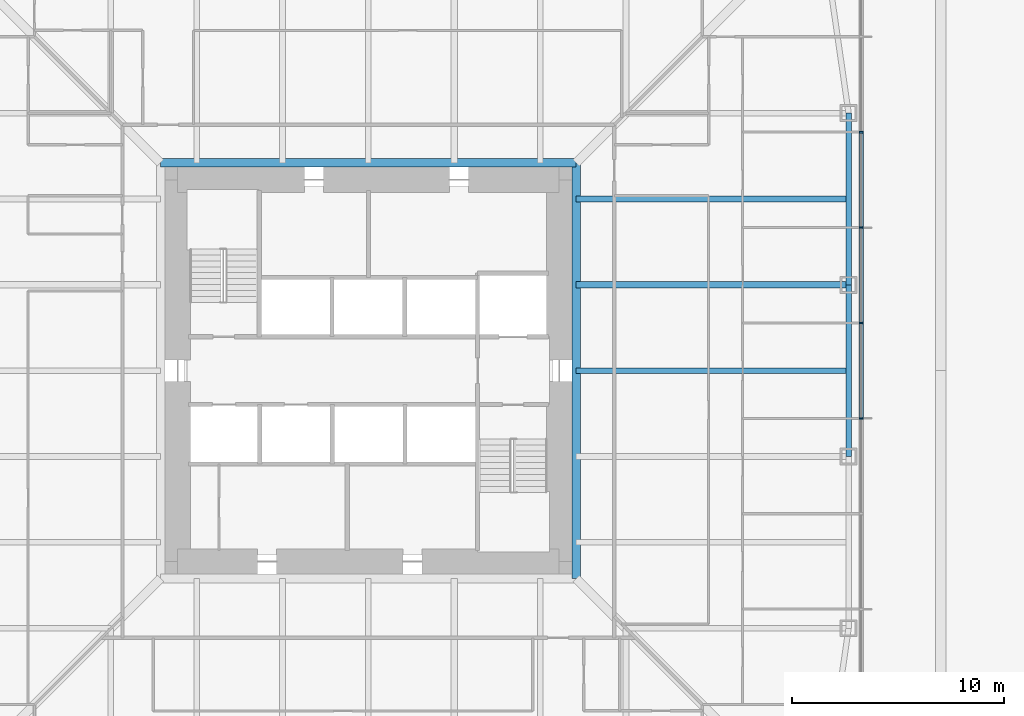
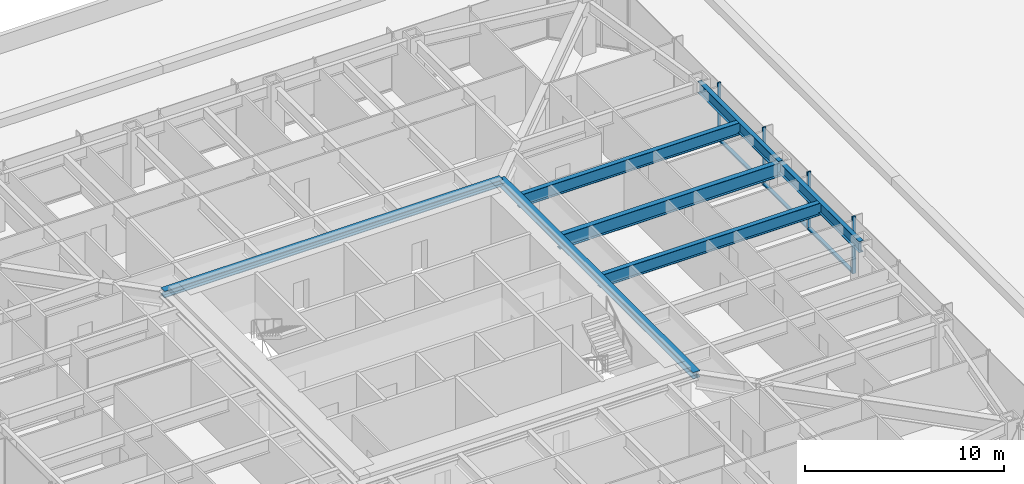
# One storey, part 7 of 31: 7 beams, 7 members, 1 element without a shape of its own.
"""IFC4 building model written with IfcOpenShell, lengths in metres."""

from ifc_helpers import new_model, si_unit, direction, frame, origin, origin_2d, place, context, subcontext, project, spatial, rectangle, i_section, extrude, material, material_profile, profile_set, type_object, element, aggregate, save


model = new_model("IFC4")

# Units and contexts
model_context = context("Model", 3, precision=1e-05, world=origin(), true_north=direction((0.0, 1.0)))
body_context = subcontext(model_context, "Body", "Model", "MODEL_VIEW")
ifc_project = project(units=[si_unit("LENGTHUNIT", "METRE"), si_unit("AREAUNIT", "SQUARE_METRE"), si_unit("VOLUMEUNIT", "CUBIC_METRE"), si_unit("PLANEANGLEUNIT", "RADIAN"), si_unit("MASSUNIT", "GRAM", prefix="KILO")], contexts=[model_context])

# Site, building, storey
site_placement = place(None, origin())
site = spatial("IfcSite", under=ifc_project, at=site_placement, CompositionType="ELEMENT")
building_placement = place(site_placement, origin())
building = spatial("IfcBuilding", under=site, at=building_placement, Name="Iwan Alto Co-Living Towers", CompositionType="ELEMENT")
storey_placement = place(building_placement, frame((0.0, 0.0, 15.0)))
storey = spatial("IfcBuildingStorey", under=building, at=storey_placement, Name="L03", CompositionType="ELEMENT", Elevation=15.0)

# Curtain wall, members
ifc_material_1 = material(Name="Bronze aluminium unitised frame", Category="aluminium")
curtain_wall_type = type_object("IfcCurtainWallType", Name="CURTAIN WALL CW-A", PredefinedType="NOTDEFINED", material=ifc_material_1)
curtain_wall_placement = place(storey_placement, origin())
curtain_wall = element("IfcCurtainWall", 1, at=curtain_wall_placement, inside=storey, type_object=curtain_wall_type, Name="T1 curtain wall E L03", PredefinedType="NOTDEFINED")
ifc_material_2 = material(Name="Aluminium 6063-T6 bronze anodised", Category="aluminium")
ifc_material_profile_1 = material_profile(ifc_material_2, rectangle(XDim=0.199951171875, YDim=0.080078125, at=origin_2d()), Name="AL 80X200")
ifc_profile_set_1 = profile_set([ifc_material_profile_1], Name="Aluminium 6063-T6 bronze anodised")
member_type_1 = type_object("IfcMemberType", Name="CW-A MULLION 80X200", PredefinedType="MULLION", material=ifc_profile_set_1)
member_1_placement = place(storey_placement, frame((23.25, -2.25, 0.0), z_axis=(0.0, 0.0, 1.0), x_axis=(-1.0, 0.0, 0.0)))
member_1 = element("IfcMember", 2, at=member_1_placement, type_object=member_type_1, Name="CW-A mullion 5", PredefinedType="MULLION", context=body_context, shape_type="SweptSolid", body=[
    extrude(rectangle(XDim=0.199951171875, YDim=0.080078125, at=origin_2d()), origin(), (0.0, 0.0, 1.0), 3.5),
])
member_2_placement = place(storey_placement, frame((23.25, 2.25, 0.0), z_axis=(0.0, 0.0, 1.0), x_axis=(-1.0, 0.0, 0.0)))
member_2 = element("IfcMember", 3, at=member_2_placement, type_object=member_type_1, Name="CW-A mullion 6", PredefinedType="MULLION", context=body_context, shape_type="SweptSolid", body=[
    extrude(rectangle(XDim=0.199951171875, YDim=0.080078125, at=origin_2d()), origin(), (0.0, 0.0, 1.0), 3.5),
])
member_3_placement = place(storey_placement, frame((23.25, 6.75, 0.0), z_axis=(0.0, 0.0, 1.0), x_axis=(-1.0, 0.0, 0.0)))
member_3 = element("IfcMember", 4, at=member_3_placement, type_object=member_type_1, Name="CW-A mullion 7", PredefinedType="MULLION", context=body_context, shape_type="SweptSolid", body=[
    extrude(rectangle(XDim=0.199951171875, YDim=0.080078125, at=origin_2d()), origin(), (0.0, 0.0, 1.0), 3.5),
])
member_4_placement = place(storey_placement, frame((23.25, 11.25, 0.0), z_axis=(0.0, 0.0, 1.0), x_axis=(-1.0, 0.0, 0.0)))
member_4 = element("IfcMember", 5, at=member_4_placement, type_object=member_type_1, Name="CW-A mullion 8", PredefinedType="MULLION", context=body_context, shape_type="SweptSolid", body=[
    extrude(rectangle(XDim=0.199951171875, YDim=0.080078125, at=origin_2d()), origin(), (0.0, 0.0, 1.0), 3.5),
])
ifc_material_3 = material(Name="Aluminium 6063-T6 bronze anodised", Category="aluminium")
ifc_material_profile_2 = material_profile(ifc_material_3, rectangle(XDim=0.199951171875, YDim=0.10009765625, at=origin_2d()), Name="AL 200X100")
ifc_profile_set_2 = profile_set([ifc_material_profile_2], Name="Aluminium 6063-T6 bronze anodised")
member_type_2 = type_object("IfcMemberType", Name="CW-A TRANSOM 200X100", PredefinedType="USERDEFINED", material=ifc_profile_set_2)
member_5_placement = place(storey_placement, frame((23.25, -2.2099609375, 0.050048828125), z_axis=(0.0, 1.0, 0.0), x_axis=(-1.0, 0.0, 0.0)))
member_5 = element("IfcMember", 6, at=member_5_placement, type_object=member_type_2, Name="CW-A transom 5.1", ObjectType="TRANSOM", PredefinedType="USERDEFINED", context=body_context, shape_type="SweptSolid", body=[
    extrude(rectangle(XDim=0.199951171875, YDim=0.10009765625, at=origin_2d()), origin(), (0.0, 0.0, 1.0), 4.419921875),
])
member_6_placement = place(storey_placement, frame((23.25, 2.2900390625, 0.050048828125), z_axis=(0.0, 1.0, 0.0), x_axis=(-1.0, 0.0, 0.0)))
member_6 = element("IfcMember", 7, at=member_6_placement, type_object=member_type_2, Name="CW-A transom 6.1", ObjectType="TRANSOM", PredefinedType="USERDEFINED", context=body_context, shape_type="SweptSolid", body=[
    extrude(rectangle(XDim=0.199951171875, YDim=0.10009765625, at=origin_2d()), origin(), (0.0, 0.0, 1.0), 4.419921875),
])
member_7_placement = place(storey_placement, frame((23.25, 6.7900390625, 0.050048828125), z_axis=(0.0, 1.0, 0.0), x_axis=(-1.0, 0.0, 0.0)))
member_7 = element("IfcMember", 8, at=member_7_placement, type_object=member_type_2, Name="CW-A transom 7.1", ObjectType="TRANSOM", PredefinedType="USERDEFINED", context=body_context, shape_type="SweptSolid", body=[
    extrude(rectangle(XDim=0.199951171875, YDim=0.10009765625, at=origin_2d()), origin(), (0.0, 0.0, 1.0), 4.419921875),
])
aggregate(curtain_wall, [member_1, member_2, member_3, member_4, member_5, member_6, member_7])

# Beams
ifc_material_4 = material(Name="Steel ASTM A992 Gr 50", Category="steel")
ifc_material_profile_3 = material_profile(ifc_material_4, i_section(OverallWidth=0.40380859375, OverallDepth=0.406494140625, WebThickness=0.027099609375, FlangeThickness=0.043701171875, at=origin_2d()), Name="W14X233")
ifc_profile_set_3 = profile_set([ifc_material_profile_3], Name="Steel ASTM A992 Gr 50")
beam_type_1 = type_object("IfcBeamType", Name="T1 CORE LEDGER BEAM W14X233", PredefinedType="BEAM", material=ifc_profile_set_3)
for number, where, z_axis, x_axis, name in (
    (9, (9.802001953125, -9.802001953125, 3.06689453125), (0.0, 1.0, 0.0), (-1.0, 0.0, 0.0), "T1 core ledger beam E L04"),
    (10, (9.802001953125, 9.802001953125, 3.06689453125), (-1.0, 0.0, 0.0), (0.0, -1.0, 0.0), "T1 core ledger beam N L04"),
):
    element("IfcBeam", number, at=place(storey_placement, frame(where, z_axis=z_axis, x_axis=x_axis)), inside=storey, type_object=beam_type_1, Name=name, PredefinedType="BEAM", context=body_context, shape_type="SweptSolid", body=[
        extrude(i_section(OverallWidth=0.40380859375, OverallDepth=0.406494140625, WebThickness=0.027099609375, FlangeThickness=0.043701171875, at=origin_2d()), origin(), (0.0, 0.0, 1.0), 19.60400390625),
    ])
ifc_material_5 = material(Name="Steel ASTM A992 Gr 50", Category="steel")
ifc_material_profile_4 = material_profile(ifc_material_5, i_section(OverallWidth=0.25390625, OverallDepth=0.683349609375, WebThickness=0.012451171875, FlangeThickness=0.018798828125, at=origin_2d()), Name="W27X94")
ifc_profile_set_4 = profile_set([ifc_material_profile_4], Name="Steel ASTM A992 Gr 50")
beam_type_2 = type_object("IfcBeamType", Name="T1 EDGE BEAM W27X94", PredefinedType="BEAM", material=ifc_profile_set_4)
beam_1_placement = place(storey_placement, frame((22.64990234375, -4.050048828125, 2.928466796875), z_axis=(0.0, 1.0, 0.0), x_axis=(-1.0, 0.0, 0.0)))
element("IfcBeam", 11, at=beam_1_placement, inside=storey, type_object=beam_type_2, Name="T1 edge beam E2 L04", PredefinedType="BEAM", context=body_context, shape_type="SweptSolid", body=[
    extrude(i_section(OverallWidth=0.25390625, OverallDepth=0.683349609375, WebThickness=0.012451171875, FlangeThickness=0.018798828125, at=origin_2d()), origin(), (0.0, 0.0, 1.0), 8.10009765625),
])
beam_2_placement = place(storey_placement, frame((22.64990234375, 4.050048828125, 2.928466796875), z_axis=(0.0, 1.0, 0.0), x_axis=(-1.0, 0.0, 0.0)))
element("IfcBeam", 12, at=beam_2_placement, inside=storey, type_object=beam_type_2, Name="T1 edge beam E3 L04", PredefinedType="BEAM", context=body_context, shape_type="SweptSolid", body=[
    extrude(i_section(OverallWidth=0.25390625, OverallDepth=0.683349609375, WebThickness=0.012451171875, FlangeThickness=0.018798828125, at=origin_2d()), origin(), (0.0, 0.0, 1.0), 8.099853515625),
])
ifc_material_6 = material(Name="Steel ASTM A992 Gr 50", Category="steel")
ifc_material_profile_5 = material_profile(ifc_material_6, i_section(OverallWidth=0.2919921875, OverallDepth=0.8408203125, WebThickness=0.0146484375, FlangeThickness=0.021728515625, at=origin_2d()), Name="W33X130")
ifc_profile_set_5 = profile_set([ifc_material_profile_5], Name="Steel ASTM A992 Gr 50")
beam_type_3 = type_object("IfcBeamType", Name="T1 RADIAL BEAM W33X130", PredefinedType="BEAM", material=ifc_profile_set_5)
beam_3_placement = place(storey_placement, frame((22.64990234375, 4.050048828125, 2.849609375), z_axis=(-1.0, 0.0, 0.0), x_axis=(0.0, -1.0, 0.0)))
element("IfcBeam", 13, at=beam_3_placement, inside=storey, type_object=beam_type_3, Name="T1 radial beam E3 L04", PredefinedType="BEAM", context=body_context, shape_type="SweptSolid", body=[
    extrude(i_section(OverallWidth=0.2919921875, OverallDepth=0.8408203125, WebThickness=0.0146484375, FlangeThickness=0.021728515625, at=origin_2d()), origin(), (0.0, 0.0, 1.0), 12.847900390625),
])
ifc_material_7 = material(Name="Steel ASTM A992 Gr 50", Category="steel")
ifc_material_profile_6 = material_profile(ifc_material_7, i_section(OverallWidth=0.2666015625, OverallDepth=0.761962890625, WebThickness=0.014404296875, FlangeThickness=0.021484375, at=origin_2d()), Name="W30X116")
ifc_profile_set_6 = profile_set([ifc_material_profile_6], Name="Steel ASTM A992 Gr 50")
beam_type_4 = type_object("IfcBeamType", Name="T1 SECONDARY BEAM W30X116", PredefinedType="JOIST", material=ifc_profile_set_6)
for number, where, z_axis, x_axis, name in (
    (14, (22.64990234375, 0.0, 2.888916015625), (-1.0, 0.0, 0.0), (0.0, -1.0, 0.0), "T1 secondary beam E2 L04"),
    (15, (22.64990234375, 8.10009765625, 2.888916015625), (-1.0, 0.0, 0.0), (0.0, -1.0, 0.0), "T1 secondary beam E3 L04"),
):
    element("IfcBeam", number, at=place(storey_placement, frame(where, z_axis=z_axis, x_axis=x_axis)), inside=storey, type_object=beam_type_4, Name=name, PredefinedType="JOIST", context=body_context, shape_type="SweptSolid", body=[
        extrude(i_section(OverallWidth=0.2666015625, OverallDepth=0.761962890625, WebThickness=0.014404296875, FlangeThickness=0.021484375, at=origin_2d()), origin(), (0.0, 0.0, 1.0), 12.847900390625),
    ])

save(model, "model.ifc")
